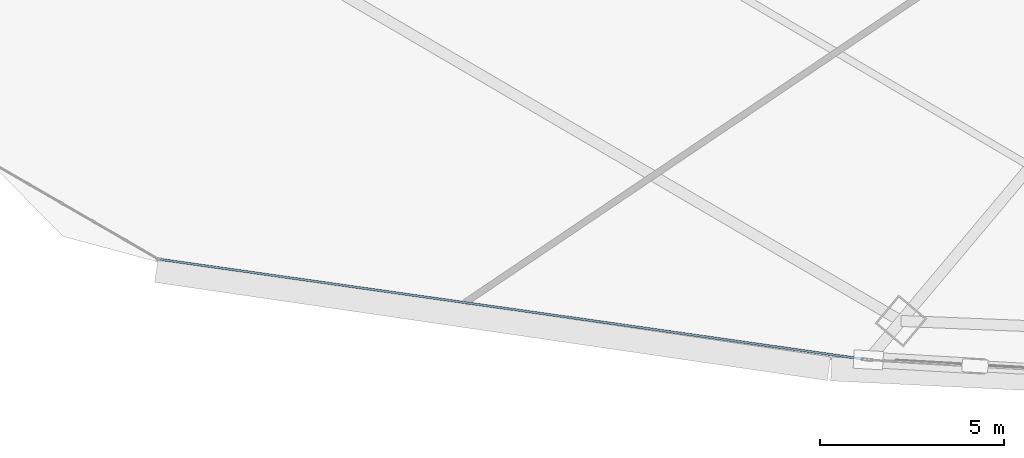
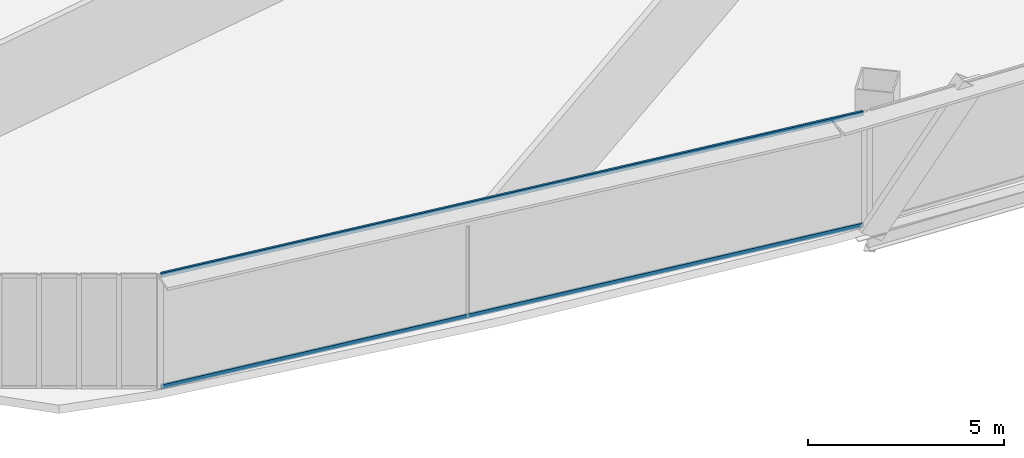
# One storey, part 3 of 41: 2 members, 1 element without a shape of its own.
"""IFC4 building model written with IfcOpenShell, lengths in metres."""

from ifc_helpers import new_model, si_unit, direction, frame, origin, origin_2d, place, context, subcontext, project, spatial, hollow_rectangle, extrude, source, transform, mapped, material, layer, layer_set, material_profile, profile_set, type_object, element, aggregate, save


model = new_model("IFC4")

# Units and contexts
model_context = context("Model", 3, precision=1e-05, world=origin(), true_north=direction((0.0, 1.0)))
body_context = subcontext(model_context, "Body", "Model", "MODEL_VIEW")
ifc_project = project(units=[si_unit("LENGTHUNIT", "METRE"), si_unit("AREAUNIT", "SQUARE_METRE"), si_unit("VOLUMEUNIT", "CUBIC_METRE"), si_unit("PLANEANGLEUNIT", "RADIAN"), si_unit("MASSUNIT", "GRAM", prefix="KILO"), si_unit("THERMODYNAMICTEMPERATUREUNIT", "KELVIN"), si_unit("POWERUNIT", "WATT")], contexts=[model_context])

# Site, building, storey
site_placement = place(None, origin())
site = spatial("IfcSite", under=ifc_project, at=site_placement, CompositionType="ELEMENT")
building_placement = place(site_placement, origin())
building = spatial("IfcBuilding", under=site, at=building_placement, Name="Yunzhuo Pagoda Commons", CompositionType="ELEMENT")
storey_placement = place(building_placement, frame((0.0, 0.0, 111.580078125)))
storey = spatial("IfcBuildingStorey", under=building, at=storey_placement, Name="L28", CompositionType="ELEMENT", Elevation=111.580078125)

# Curtain wall, members
ifc_material = material(Name="Anodized aluminium 6063-T6", Category="aluminium")
ifc_layer = layer(ifc_material, 0.1650390625)
ifc_layer_set = layer_set([ifc_layer], Name="Anodized aluminium 6063-T6")
curtain_wall_type = type_object("IfcCurtainWallType", Name="CW-LOW Low-Zone Ribbon Curtain Wall", PredefinedType="NOTDEFINED", material=ifc_layer_set)
curtain_wall_placement = place(storey_placement, origin())
curtain_wall = element("IfcCurtainWall", 1, at=curtain_wall_placement, inside=storey, type_object=curtain_wall_type, Name="L28 curtain wall CW-L28-F1B1", PredefinedType="NOTDEFINED")
ifc_material_profile = material_profile(ifc_material, hollow_rectangle(XDim=0.06005859375, YDim=0.139892578125, WallThickness=0.00341796875, at=origin_2d()), Name="Anodized aluminium 6063-T6")
ifc_profile_set = profile_set([ifc_material_profile], Name="Anodized aluminium 6063-T6")
member_type = type_object("IfcMemberType", Name="CW-LOW-T Transom RHS 140x60x3.5", PredefinedType="USERDEFINED", material=ifc_profile_set)
shared_shape = source(origin(), body_context, "Body", "SweptSolid", [
    extrude(hollow_rectangle(XDim=0.06005859375, YDim=0.139892578125, WallThickness=0.00341796875, at=origin_2d()), origin(), (0.0, 0.0, 1.0), 19.310546875),
])
member_1_placement = place(storey_placement, frame((11.41845703125, 15.785400390625, 0.030029296875), z_axis=(0.990093108947, -0.140412377004, 0.0), x_axis=(0.140412377004, 0.990093108947, 0.0)))
member_1 = element("IfcMember", 2, at=member_1_placement, type_object=member_type, Name="CW transom 1.1", ObjectType="TRANSOM", PredefinedType="USERDEFINED", context=body_context, shape_type="MappedRepresentation", body=[
    mapped(shared_shape, transform((0.0, 0.0, 0.0), scale=1.0)),
])
member_2_placement = place(storey_placement, frame((11.41845703125, 15.785400390625, 3.510009765625), z_axis=(0.990093108947, -0.140412377004, 0.0), x_axis=(0.140412377004, 0.990093108947, 0.0)))
member_2 = element("IfcMember", 3, at=member_2_placement, type_object=member_type, Name="CW transom 1.2", ObjectType="TRANSOM", PredefinedType="USERDEFINED", context=body_context, shape_type="MappedRepresentation", body=[
    mapped(shared_shape, transform((0.0, 0.0, 0.0), scale=1.0)),
])
aggregate(curtain_wall, [member_1, member_2])

save(model, "model.ifc")
